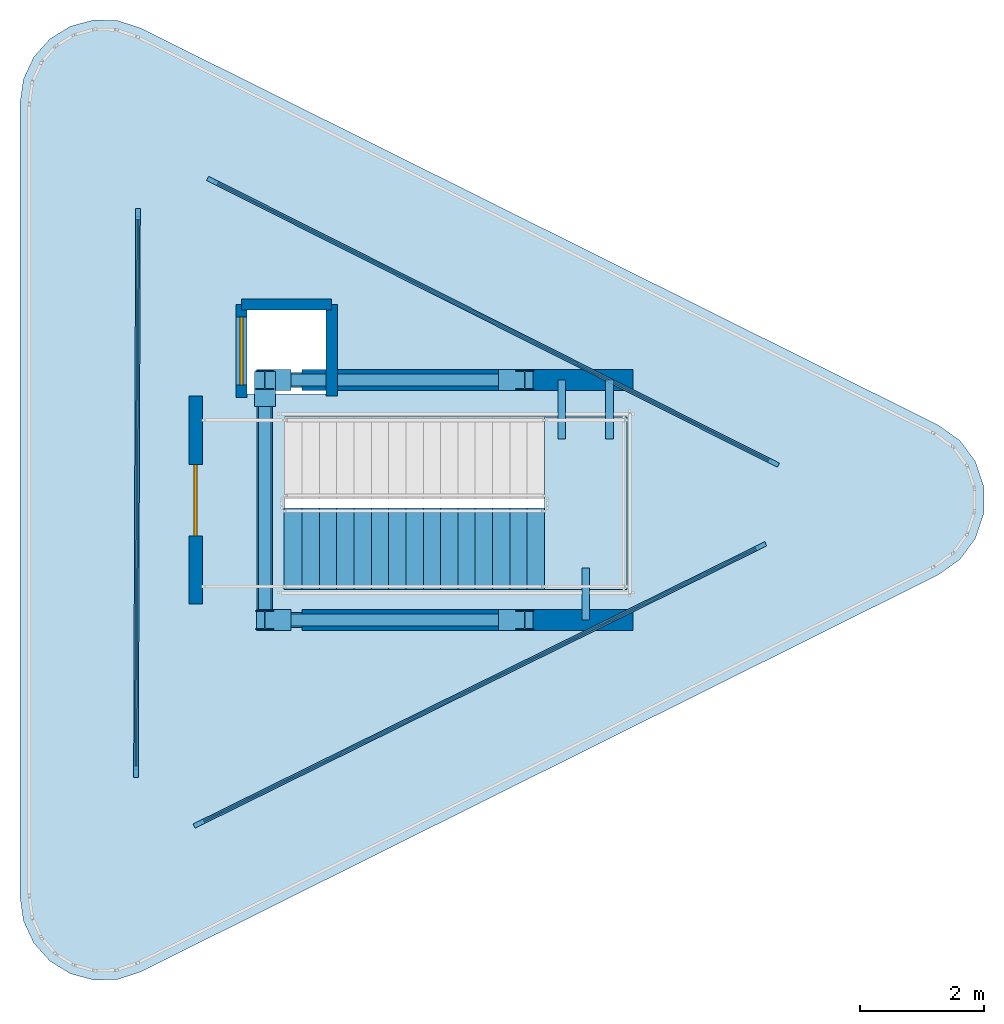
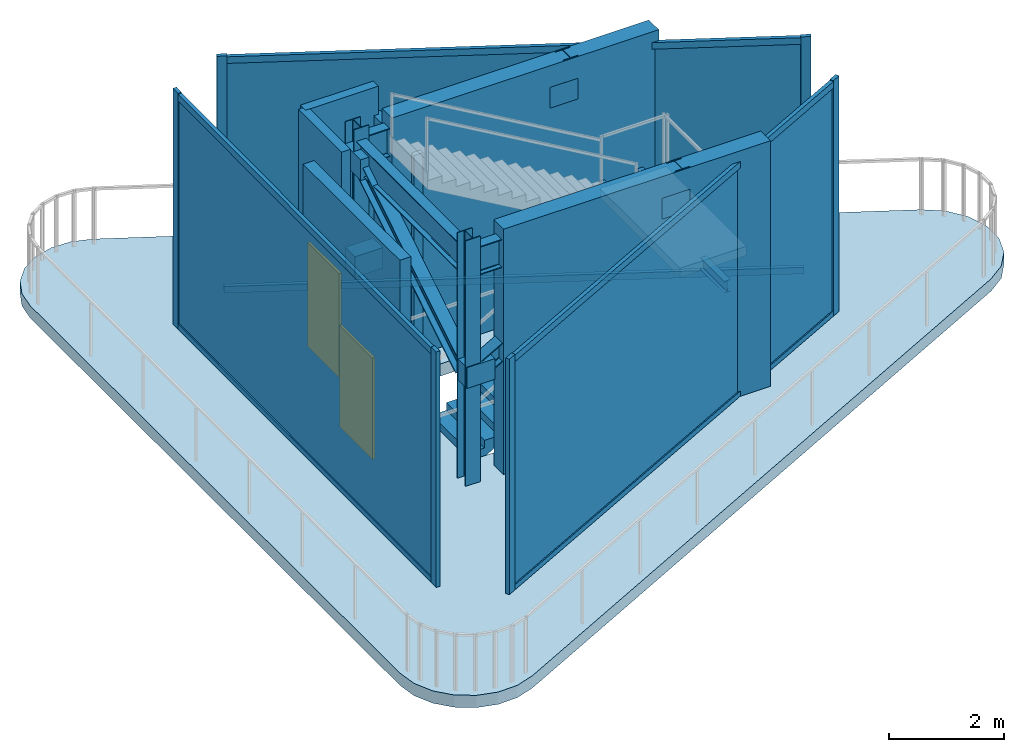
# One storey, part 1 of 3: 15 members, 8 plates, 6 beams, 6 walls, 4 columns, 2 doors, 2 slabs, 1 stair flight, 2 openings, 4 elements without a shape of their own.
"""IFC4 building model written with IfcOpenShell, lengths in metres."""

from ifc_helpers import new_model, si_unit, direction, frame, frame_2d, origin, origin_2d, place, context, subcontext, project, spatial, polyline, rectangle, i_section, outline, extrude, source, transform, mapped, material, layer, layer_set, material_profile, profile_set, type_object, element, fill, aggregate, save


model = new_model("IFC4")

# Units and contexts
model_context = context("Model", 3, precision=1e-05, world=origin(), true_north=direction((0.0, 1.0)))
body_context = subcontext(model_context, "Body", "Model", "MODEL_VIEW")
ifc_project = project(units=[si_unit("LENGTHUNIT", "METRE"), si_unit("AREAUNIT", "SQUARE_METRE"), si_unit("VOLUMEUNIT", "CUBIC_METRE"), si_unit("PLANEANGLEUNIT", "RADIAN"), si_unit("MASSUNIT", "GRAM", prefix="KILO")], contexts=[model_context])

# Site, building, storey
site_placement = place(None, origin())
site = spatial("IfcSite", under=ifc_project, at=site_placement, CompositionType="ELEMENT")
building_placement = place(site_placement, origin())
building = spatial("IfcBuilding", under=site, at=building_placement, Name="Yunling Apex Tower", CompositionType="ELEMENT")
storey_placement = place(building_placement, frame((0.0, 0.0, 338.64990234375)))
storey = spatial("IfcBuildingStorey", under=building, at=storey_placement, Name="C05", CompositionType="ELEMENT", Elevation=338.64990234375)

# Columns
ifc_material_1 = material(Name="Steel Q355B", Category="steel")
ifc_material_profile_1 = material_profile(ifc_material_1, i_section(OverallWidth=0.300048828125, OverallDepth=0.300048828125, WebThickness=0.010009765625, FlangeThickness=0.014892578125, FilletRadius=0.01806640625, at=origin_2d()))
ifc_profile_set_1 = profile_set([ifc_material_profile_1], Name="Steel Q355B")
column_type = type_object("IfcColumnType", Name="CC-STL-3", PredefinedType="COLUMN", material=ifc_profile_set_1)
shared_shape_1 = source(origin(), body_context, "Body", "SweptSolid", [
    extrude(i_section(OverallWidth=0.300048828125, OverallDepth=0.300048828125, WebThickness=0.010009765625, FlangeThickness=0.014892578125, FilletRadius=0.01806640625, at=origin_2d()), origin(), (0.0, 0.0, 1.0), 5.2001953125),
])
for number, where, z_axis, x_axis, name in (
    (1, (-1.800048828125, -1.93994140625, 0.0), (0.0, 0.0, 1.0), (1.0, 0.0, 0.0), "C05 Crown Core Column CT1"),
    (2, (2.39990234375, 1.93994140625, 0.0), (0.0, 0.0, 1.0), (1.0, 0.0, 0.0), "C05 Crown Core Column CT2"),
    (3, (2.39990234375, -1.93994140625, 0.0), (0.0, 0.0, 1.0), (1.0, 0.0, 0.0), "C05 Crown Core Column CT3"),
    (4, (-1.800048828125, 1.93994140625, 0.0), (0.0, 0.0, 1.0), (1.0, 0.0, 0.0), "C05 Crown Core Column CT4"),
):
    element("IfcColumn", number, at=place(storey_placement, frame(where, z_axis=z_axis, x_axis=x_axis)), inside=storey, type_object=column_type, Name=name, PredefinedType="COLUMN", context=body_context, shape_type="MappedRepresentation", body=[
        mapped(shared_shape_1, transform((0.0, 0.0, 0.0), scale=1.0)),
    ])

# Beams
ifc_material_profile_2 = material_profile(ifc_material_1, i_section(OverallWidth=0.125, OverallDepth=0.25, WebThickness=0.006103515625, FlangeThickness=0.009033203125, FilletRadius=0.011962890625, at=origin_2d()))
ifc_profile_set_2 = profile_set([ifc_material_profile_2], Name="Steel Q355B")
beam_type_1 = type_object("IfcBeamType", Name="BL-LNT-1", PredefinedType="LINTEL", material=ifc_profile_set_2)
shared_shape_2 = source(origin(), body_context, "Body", "SweptSolid", [
    extrude(i_section(OverallWidth=0.125, OverallDepth=0.25, WebThickness=0.006103515625, FlangeThickness=0.009033203125, FilletRadius=0.011962890625, at=origin_2d()), origin(), (0.0, 0.0, 1.0), 0.949951171875),
])
for number, where, z_axis, x_axis, name in (
    (5, (3.0, 1.93994140625, 2.280029296875), (0.0, -1.0, 0.0), (1.0, 0.0, 0.0), "C05 ST-C1 Landing Bearing Corbel 1-1"),
    (6, (3.77001953125, 1.93994140625, 2.280029296875), (0.0, -1.0, 0.0), (1.0, 0.0, 0.0), "C05 ST-C1 Landing Bearing Corbel 1-2"),
):
    element("IfcBeam", number, at=place(storey_placement, frame(where, z_axis=z_axis, x_axis=x_axis)), inside=storey, type_object=beam_type_1, Name=name, PredefinedType="LINTEL", context=body_context, shape_type="MappedRepresentation", body=[
        mapped(shared_shape_2, transform((0.0, 0.0, 0.0), scale=1.0)),
    ])
shared_shape_3 = source(origin(), body_context, "Body", "SweptSolid", [
    extrude(i_section(OverallWidth=0.125, OverallDepth=0.25, WebThickness=0.006103515625, FlangeThickness=0.009033203125, FilletRadius=0.011962890625, at=origin_2d()), origin(), (0.0, 0.0, 1.0), 0.83984375),
])
beam_1_placement = place(storey_placement, frame((3.385009765625, -1.93994140625, 2.280029296875), z_axis=(0.0, 1.0, 0.0), x_axis=(-1.0, 0.0, 0.0)))
element("IfcBeam", 7, at=beam_1_placement, inside=storey, type_object=beam_type_1, Name="C05 ST-C1 Landing Bearing Corbel 1-3", PredefinedType="LINTEL", context=body_context, shape_type="MappedRepresentation", body=[
    mapped(shared_shape_3, transform((0.0, 0.0, 0.0), scale=1.0)),
])
ifc_material_profile_3 = material_profile(ifc_material_1, i_section(OverallWidth=0.199951171875, OverallDepth=0.60009765625, WebThickness=0.010986328125, FlangeThickness=0.01708984375, FilletRadius=0.02197265625, at=origin_2d()))
ifc_profile_set_3 = profile_set([ifc_material_profile_3], Name="Steel Q355B")
beam_type_2 = type_object("IfcBeamType", Name="BG-PRI-5", PredefinedType="USERDEFINED", material=ifc_profile_set_3)
shared_shape_4 = source(origin(), body_context, "Body", "SweptSolid", [
    extrude(i_section(OverallWidth=0.199951171875, OverallDepth=0.60009765625, WebThickness=0.010986328125, FlangeThickness=0.01708984375, FilletRadius=0.02197265625, at=origin_2d()), origin(), (0.0, 0.0, 1.0), 3.909912109375),
])
for number, where, z_axis, x_axis, name in (
    (8, (-1.655029296875, 1.93994140625, 4.64013671875), (1.0, 0.0, 0.0), (0.0, 1.0, 0.0), "C05 Crown Core Support Girder 1"),
    (9, (-1.655029296875, -1.93994140625, 4.64013671875), (1.0, 0.0, 0.0), (0.0, 1.0, 0.0), "C05 Crown Core Support Girder 2"),
):
    element("IfcBeam", number, at=place(storey_placement, frame(where, z_axis=z_axis, x_axis=x_axis)), inside=storey, type_object=beam_type_2, Name=name, ObjectType="GIRDER", PredefinedType="USERDEFINED", context=body_context, shape_type="MappedRepresentation", body=[
        mapped(shared_shape_4, transform((0.0, 0.0, 0.0), scale=1.0)),
    ])
shared_shape_5 = source(origin(), body_context, "Body", "SweptSolid", [
    extrude(i_section(OverallWidth=0.199951171875, OverallDepth=0.60009765625, WebThickness=0.010986328125, FlangeThickness=0.01708984375, FilletRadius=0.02197265625, at=origin_2d()), origin(), (0.0, 0.0, 1.0), 3.58984375),
])
beam_2_placement = place(storey_placement, frame((-1.800048828125, -1.794921875, 4.64013671875), z_axis=(0.0, 1.0, 0.0), x_axis=(-1.0, 0.0, 0.0)))
element("IfcBeam", 10, at=beam_2_placement, inside=storey, type_object=beam_type_2, Name="C05 Crown Core Support Girder 3", ObjectType="GIRDER", PredefinedType="USERDEFINED", context=body_context, shape_type="MappedRepresentation", body=[
    mapped(shared_shape_5, transform((0.0, 0.0, 0.0), scale=1.0)),
])

# Members
ifc_material_profile_4 = material_profile(ifc_material_1, i_section(OverallWidth=0.25, OverallDepth=0.35009765625, WebThickness=0.011962890625, FlangeThickness=0.02001953125, FilletRadius=0.01611328125, at=origin_2d()))
ifc_profile_set_4 = profile_set([ifc_material_profile_4], Name="Steel Q355B")
member_type_1 = type_object("IfcMemberType", Name="CR-RIB-2", PredefinedType="RAFTER", material=ifc_profile_set_4)
shared_shape_6 = source(origin(), body_context, "Body", "SweptSolid", [
    extrude(i_section(OverallWidth=0.25, OverallDepth=0.35009765625, WebThickness=0.011962890625, FlangeThickness=0.02001953125, FilletRadius=0.01611328125, at=origin_2d()), origin(), (0.0, 0.0, 1.0), 4.49609375),
])
for number, where, z_axis, x_axis, name in (
    (11, (-1.655029296875, -1.93994140625, 2.300048828125), (0.869606524718, 0.0, 0.493745371793), (0.0, 1.0, 0.0), "C05 Crown Upper Structural Rafter 1"),
    (12, (-1.655029296875, 1.93994140625, 2.300048828125), (0.869606524718, 0.0, 0.493745371793), (0.0, 1.0, 0.0), "C05 Crown Upper Structural Rafter 2"),
):
    element("IfcMember", number, at=place(storey_placement, frame(where, z_axis=z_axis, x_axis=x_axis)), inside=storey, type_object=member_type_1, Name=name, PredefinedType="RAFTER", context=body_context, shape_type="MappedRepresentation", body=[
        mapped(shared_shape_6, transform((0.0, 0.0, 0.0), scale=1.0)),
    ])
shared_shape_7 = source(origin(), body_context, "Body", "SweptSolid", [
    extrude(i_section(OverallWidth=0.25, OverallDepth=0.35009765625, WebThickness=0.011962890625, FlangeThickness=0.02001953125, FilletRadius=0.01611328125, at=origin_2d()), origin(), (0.0, 0.0, 1.0), 4.220703125),
])
member_1_placement = place(storey_placement, frame((-1.800048828125, -1.794921875, 2.300048828125), z_axis=(0.0, 0.850510361782, 0.5259582916), x_axis=(-1.0, 0.0, 0.0)))
element("IfcMember", 13, at=member_1_placement, inside=storey, type_object=member_type_1, Name="C05 Crown Upper Structural Rafter 3", PredefinedType="RAFTER", context=body_context, shape_type="MappedRepresentation", body=[
    mapped(shared_shape_7, transform((0.0, 0.0, 0.0), scale=1.0)),
])

# Curtain wall, members
ifc_material_2 = material(Name="Bronze anodised aluminium", Category="aluminium")
ifc_layer_1 = layer(ifc_material_2, 0.179931640625)
ifc_layer_set_1 = layer_set([ifc_layer_1], Name="Bronze anodised aluminium")
curtain_wall_type = type_object("IfcCurtainWallType", Name="CW-SYS-6", PredefinedType="NOTDEFINED", material=ifc_layer_set_1)
curtain_wall_1_placement = place(storey_placement, origin())
curtain_wall_1 = element("IfcCurtainWall", 14, at=curtain_wall_1_placement, inside=storey, type_object=curtain_wall_type, Name="CW-C05-01", PredefinedType="NOTDEFINED")
ifc_material_profile_5 = material_profile(ifc_material_2, rectangle(XDim=0.074951171875, YDim=0.179931640625, at=origin_2d()))
ifc_profile_set_5 = profile_set([ifc_material_profile_5], Name="Bronze anodised aluminium")
member_type_2 = type_object("IfcMemberType", Name="CW-MUL-6", PredefinedType="MULLION", material=ifc_profile_set_5)
shared_shape_8 = source(origin(), body_context, "Body", "SweptSolid", [
    extrude(rectangle(XDim=0.074951171875, YDim=0.179931640625, at=origin_2d()), origin(), (0.0, 0.0, 1.0), 5.039794921875),
])
member_2_placement = place(storey_placement, frame((-3.884765625, -4.39404296875, -0.0498046875), z_axis=(0.0, 0.0, 1.0), x_axis=(-0.99999361072, 0.003574705476, 0.0)))
member_2 = element("IfcMember", 15, at=member_2_placement, type_object=member_type_2, Name="CW-SYS-6 mullion 1", PredefinedType="MULLION", context=body_context, shape_type="MappedRepresentation", body=[
    mapped(shared_shape_8, transform((0.0, 0.0, 0.0), scale=1.0)),
])
member_3_placement = place(storey_placement, frame((-3.8525390625, 4.62255859375, -0.0498046875), z_axis=(0.0, 0.0, 1.0), x_axis=(-0.99999361072, 0.003574705476, 0.0)))
member_3 = element("IfcMember", 16, at=member_3_placement, type_object=member_type_2, Name="CW-SYS-6 mullion 2", PredefinedType="MULLION", context=body_context, shape_type="MappedRepresentation", body=[
    mapped(shared_shape_8, transform((0.0, 0.0, 0.0), scale=1.0)),
])

curtain_wall_2_placement = place(storey_placement, origin())
curtain_wall_2 = element("IfcCurtainWall", 17, at=curtain_wall_2_placement, inside=storey, type_object=curtain_wall_type, Name="CW-C05-05", PredefinedType="NOTDEFINED")
member_4_placement = place(storey_placement, frame((-2.6474609375, 5.16015625, -0.0498046875), z_axis=(0.0, 0.0, 1.0), x_axis=(0.448972985976, 0.893545330615, 0.0)))
member_4 = element("IfcMember", 18, at=member_4_placement, type_object=member_type_2, Name="CW-SYS-6 mullion 1", PredefinedType="MULLION", context=body_context, shape_type="MappedRepresentation", body=[
    mapped(shared_shape_8, transform((0.0, 0.0, 0.0), scale=1.0)),
])
member_5_placement = place(storey_placement, frame((6.4228515625, 0.602783203125, -0.0498046875), z_axis=(0.0, 0.0, 1.0), x_axis=(0.448972985976, 0.893545330615, 0.0)))
member_5 = element("IfcMember", 19, at=member_5_placement, type_object=member_type_2, Name="CW-SYS-6 mullion 2", PredefinedType="MULLION", context=body_context, shape_type="MappedRepresentation", body=[
    mapped(shared_shape_8, transform((0.0, 0.0, 0.0), scale=1.0)),
])

curtain_wall_3_placement = place(storey_placement, origin())
curtain_wall_3 = element("IfcCurtainWall", 20, at=curtain_wall_3_placement, inside=storey, type_object=curtain_wall_type, Name="CW-C05-09", PredefinedType="NOTDEFINED")
member_6_placement = place(storey_placement, frame((6.21728515625, -0.748291015625, -0.0498046875), z_axis=(0.0, 0.0, 1.0), x_axis=(0.442708539798, -0.896665572435, 0.0)))
member_6 = element("IfcMember", 21, at=member_6_placement, type_object=member_type_2, Name="CW-SYS-6 mullion 1", PredefinedType="MULLION", context=body_context, shape_type="MappedRepresentation", body=[
    mapped(shared_shape_8, transform((0.0, 0.0, 0.0), scale=1.0)),
])
member_7_placement = place(storey_placement, frame((-2.866455078125, -5.233154296875, -0.0498046875), z_axis=(0.0, 0.0, 1.0), x_axis=(0.442708539798, -0.896665572435, 0.0)))
member_7 = element("IfcMember", 22, at=member_7_placement, type_object=member_type_2, Name="CW-SYS-6 mullion 2", PredefinedType="MULLION", context=body_context, shape_type="MappedRepresentation", body=[
    mapped(shared_shape_8, transform((0.0, 0.0, 0.0), scale=1.0)),
])

# Member
ifc_material_profile_6 = material_profile(ifc_material_2, rectangle(XDim=0.074951171875, YDim=0.139892578125, at=origin_2d()))
ifc_profile_set_6 = profile_set([ifc_material_profile_6], Name="Bronze anodised aluminium")
member_type_3 = type_object("IfcMemberType", Name="CW-TRN-6", PredefinedType="USERDEFINED", material=ifc_profile_set_6)
shared_shape_9 = source(origin(), body_context, "Body", "SweptSolid", [
    extrude(rectangle(XDim=0.074951171875, YDim=0.139892578125, at=origin_2d()), origin(), (0.0, 0.0, 1.0), 8.94921875),
])
member_8_placement = place(storey_placement, frame((-3.884765625, -4.3603515625, 0.03759765625), z_axis=(0.003601024229, 0.999993516291, 0.0), x_axis=(-0.999993516291, 0.003601024229, 0.0)))
member_8 = element("IfcMember", 23, at=member_8_placement, type_object=member_type_3, Name="CW-SYS-6 transom 1.1", ObjectType="TRANSOM", PredefinedType="USERDEFINED", context=body_context, shape_type="MappedRepresentation", body=[
    mapped(shared_shape_9, transform((0.0, 0.0, 0.0), scale=1.0)),
])

member_9_placement = place(storey_placement, frame((-3.884765625, -4.3603515625, 4.902587890625), z_axis=(0.003601024229, 0.999993516291, 0.0), x_axis=(-0.999993516291, 0.003601024229, 0.0)))
member_9 = element("IfcMember", 24, at=member_9_placement, type_object=member_type_3, Name="CW-SYS-6 transom 1.2", ObjectType="TRANSOM", PredefinedType="USERDEFINED", context=body_context, shape_type="MappedRepresentation", body=[
    mapped(shared_shape_9, transform((0.0, 0.0, 0.0), scale=1.0)),
])

shared_shape_10 = source(origin(), body_context, "Body", "SweptSolid", [
    extrude(rectangle(XDim=0.074951171875, YDim=0.139892578125, at=origin_2d()), origin(), (0.0, 0.0, 1.0), 10.083251953125),
])
member_10_placement = place(storey_placement, frame((-2.6171875, 5.14501953125, 0.03759765625), z_axis=(0.893544113175, -0.448975408915, 0.0), x_axis=(0.448975408915, 0.893544113175, 0.0)))
member_10 = element("IfcMember", 25, at=member_10_placement, type_object=member_type_3, Name="CW-SYS-6 transom 1.1", ObjectType="TRANSOM", PredefinedType="USERDEFINED", context=body_context, shape_type="MappedRepresentation", body=[
    mapped(shared_shape_10, transform((0.0, 0.0, 0.0), scale=1.0)),
])

member_11_placement = place(storey_placement, frame((-2.6171875, 5.14501953125, 4.902587890625), z_axis=(0.893544113175, -0.448975408915, 0.0), x_axis=(0.448975408915, 0.893544113175, 0.0)))
member_11 = element("IfcMember", 26, at=member_11_placement, type_object=member_type_3, Name="CW-SYS-6 transom 1.2", ObjectType="TRANSOM", PredefinedType="USERDEFINED", context=body_context, shape_type="MappedRepresentation", body=[
    mapped(shared_shape_10, transform((0.0, 0.0, 0.0), scale=1.0)),
])

shared_shape_11 = source(origin(), body_context, "Body", "SweptSolid", [
    extrude(rectangle(XDim=0.074951171875, YDim=0.139892578125, at=origin_2d()), origin(), (0.0, 0.0, 1.0), 10.063232421875),
])
member_12_placement = place(storey_placement, frame((6.18701171875, -0.76318359375, 0.03759765625), z_axis=(-0.896667229286, -0.442705183983, 0.0), x_axis=(0.442705183983, -0.896667229286, 0.0)))
member_12 = element("IfcMember", 27, at=member_12_placement, type_object=member_type_3, Name="CW-SYS-6 transom 1.1", ObjectType="TRANSOM", PredefinedType="USERDEFINED", context=body_context, shape_type="MappedRepresentation", body=[
    mapped(shared_shape_11, transform((0.0, 0.0, 0.0), scale=1.0)),
])

member_13_placement = place(storey_placement, frame((6.18701171875, -0.76318359375, 4.902587890625), z_axis=(-0.896667229286, -0.442705183983, 0.0), x_axis=(0.442705183983, -0.896667229286, 0.0)))
member_13 = element("IfcMember", 28, at=member_13_placement, type_object=member_type_3, Name="CW-SYS-6 transom 1.2", ObjectType="TRANSOM", PredefinedType="USERDEFINED", context=body_context, shape_type="MappedRepresentation", body=[
    mapped(shared_shape_11, transform((0.0, 0.0, 0.0), scale=1.0)),
])

# Slab
ifc_material_3 = material(Name="Concrete C40", Category="concrete")
ifc_layer_2 = layer(ifc_material_3, 0.260009765625)
ifc_layer_set_2 = layer_set([ifc_layer_2], Name="Concrete C40")
slab_type_1 = type_object("IfcSlabType", Name="SL-CRN-1", PredefinedType="FLOOR", material=ifc_layer_set_2)
slab_1_placement = place(storey_placement, frame((0.0, 0.0, -0.260009765625)))
element("IfcSlab", 29, at=slab_1_placement, inside=storey, type_object=slab_type_1, Name="C05 Crown Plant & Maintenance Slab", PredefinedType="FLOOR", context=body_context, shape_type="SweptSolid", body=[
    extrude(outline(polyline([(-5.759765625, -6.420166015625), (-5.703125, -6.806640625), (-5.538330078125, -7.160888671875), (-5.279052734375, -7.452880859375), (-4.947021484375, -7.65869140625), (-4.56982421875, -7.760498046875), (-4.17919921875, -7.750244140625), (-3.80810546875, -7.628662109375), (9.091064453125, -1.20849609375), (9.437744140625, -0.9609375), (9.68994140625, -0.61767578125), (9.822509765625, -0.212890625), (9.822509765625, 0.212890625), (9.68994140625, 0.61767578125), (9.437744140625, 0.9609375), (9.091064453125, 1.20849609375), (-3.80810546875, 7.628662109375), (-4.17919921875, 7.750244140625), (-4.56982421875, 7.760498046875), (-4.947021484375, 7.65869140625), (-5.279052734375, 7.452880859375), (-5.538330078125, 7.160888671875), (-5.703125, 6.806640625), (-5.759765625, 6.420166015625), (-5.759765625, -6.420166015625)]), holes=[polyline([(4.050048828125, -1.449951171875), (-1.47998046875, -1.449951171875), (-1.47998046875, 1.340087890625), (4.050048828125, 1.340087890625), (4.050048828125, -1.449951171875)]), polyline([(-0.7900390625, 1.715087890625), (-2.110107421875, 1.715087890625), (-2.110107421875, 3.0849609375), (-0.7900390625, 3.0849609375), (-0.7900390625, 1.715087890625)])]), origin(), (0.0, 0.0, 1.0), 0.260009765625),
])

# Stair, slab
stair_type = type_object("IfcStairType", Name="ST-CRN-1", PredefinedType="STRAIGHT_RUN_STAIR", material=ifc_material_3)
stair_placement = place(storey_placement, origin())
stair = element("IfcStair", 30, at=stair_placement, inside=storey, type_object=stair_type, Name="C05 Crown Maintenance Access Stair ST-C1", PredefinedType="HALF_TURN_STAIR")
ifc_layer_3 = layer(ifc_material_3, 0.195068359375)
ifc_layer_set_3 = layer_set([ifc_layer_3], Name="Concrete C40")
slab_type_2 = type_object("IfcSlabType", Name="SL-LND-1", PredefinedType="LANDING", material=ifc_layer_set_3)
slab_2_placement = place(storey_placement, frame((0.0, 0.0, 2.405029296875)))
slab_2 = element("IfcSlab", 31, at=slab_2_placement, type_object=slab_type_2, Name="ST-C1 landing 1", PredefinedType="LANDING", context=body_context, shape_type="SweptSolid", body=[
    extrude(outline(polyline([(2.719970703125, -1.449951171875), (4.050048828125, -1.449951171875), (4.050048828125, 1.340087890625), (2.719970703125, 1.340087890625), (2.719970703125, -1.449951171875)])), origin(), (0.0, 0.0, 1.0), 0.195068359375),
])

# Plates
ifc_layer_4 = layer(ifc_material_1, 0.031982421875)
ifc_layer_set_4 = layer_set([ifc_layer_4], Name="Steel Q355B")
plate_type_1 = type_object("IfcPlateType", Name="NP-GUS-2", PredefinedType="USERDEFINED", material=ifc_layer_set_4)
shared_shape_12 = source(origin(), body_context, "Body", "SweptSolid", [
    extrude(rectangle(XDim=0.56005859375, YDim=0.340087890625, at=origin_2d()), origin(), (0.0, 0.0, 1.0), 0.43994140625),
])
for number, where, z_axis, x_axis, name in (
    (32, (-1.655029296875, -1.93994140625, 2.080078125), (0.0, 0.0, 1.0), (1.0, 0.0, 0.0), "C05 Crown Upper Rafter Foot Gusset Plate 427"),
    (33, (2.2548828125, -1.93994140625, 4.300048828125), (0.0, 0.0, 1.0), (1.0, 0.0, 0.0), "C05 Crown Upper Rafter Head Gusset Plate 428"),
    (34, (-1.655029296875, 1.93994140625, 2.080078125), (0.0, 0.0, 1.0), (1.0, 0.0, 0.0), "C05 Crown Upper Rafter Foot Gusset Plate 429"),
    (35, (2.2548828125, 1.93994140625, 4.300048828125), (0.0, 0.0, 1.0), (1.0, 0.0, 0.0), "C05 Crown Upper Rafter Head Gusset Plate 430"),
    (36, (-1.800048828125, 1.794921875, 4.300048828125), (0.0, 0.0, 1.0), (0.0, 1.0, 0.0), "C05 Crown Upper Rafter Head Gusset Plate 431"),
):
    element("IfcPlate", number, at=place(storey_placement, frame(where, z_axis=z_axis, x_axis=x_axis)), inside=storey, type_object=plate_type_1, Name=name, ObjectType="GUSSET_PLATE", PredefinedType="USERDEFINED", context=body_context, shape_type="MappedRepresentation", body=[
        mapped(shared_shape_12, transform((0.0, 0.0, 0.0), scale=1.0)),
    ])

# Plate
ifc_material_4 = material(Name="Bronze fritted laminated crown glass", Category="glass")
ifc_layer_5 = layer(ifc_material_4, 0.02587890625)
ifc_layer_set_5 = layer_set([ifc_layer_5], Name="Bronze fritted laminated crown glass")
plate_type_2 = type_object("IfcPlateType", Name="CW-PNL-6", PredefinedType="CURTAIN_PANEL", material=ifc_layer_set_5)
shared_shape_13 = source(origin(), body_context, "Body", "SweptSolid", [
    extrude(rectangle(XDim=8.957275390625, YDim=0.02587890625, at=origin_2d()), origin(), (0.0, 0.0, 1.0), 4.805419921875),
])
plate_1_placement = place(storey_placement, frame((-3.86865234375, 0.1142578125, 0.0673828125), z_axis=(0.0, 0.0, 1.0), x_axis=(0.003574705476, 0.99999361072, 0.0)))
plate_1 = element("IfcPlate", 37, at=plate_1_placement, type_object=plate_type_2, Name="CW-SYS-6 panel 1.1", PredefinedType="CURTAIN_PANEL", context=body_context, shape_type="MappedRepresentation", body=[
    mapped(shared_shape_13, transform((0.0, 0.0, 0.0), scale=1.0)),
])

aggregate(curtain_wall_1, [member_2, member_3, member_8, member_9, plate_1])

shared_shape_14 = source(origin(), body_context, "Body", "SweptSolid", [
    extrude(rectangle(XDim=10.09130859375, YDim=0.02587890625, at=origin_2d()), origin(), (0.0, 0.0, 1.0), 4.805419921875),
])
plate_2_placement = place(storey_placement, frame((1.8876953125, 2.881591796875, 0.0673828125), z_axis=(0.0, 0.0, 1.0), x_axis=(0.893545330615, -0.448972985976, 0.0)))
plate_2 = element("IfcPlate", 38, at=plate_2_placement, type_object=plate_type_2, Name="CW-SYS-6 panel 1.1", PredefinedType="CURTAIN_PANEL", context=body_context, shape_type="MappedRepresentation", body=[
    mapped(shared_shape_14, transform((0.0, 0.0, 0.0), scale=1.0)),
])

aggregate(curtain_wall_2, [member_4, member_5, member_10, member_11, plate_2])

shared_shape_15 = source(origin(), body_context, "Body", "SweptSolid", [
    extrude(rectangle(XDim=10.0712890625, YDim=0.02587890625, at=origin_2d()), origin(), (0.0, 0.0, 1.0), 4.805419921875),
])
plate_3_placement = place(storey_placement, frame((1.67529296875, -2.99072265625, 0.0673828125), z_axis=(0.0, 0.0, 1.0), x_axis=(-0.896665572435, -0.442708539798, 0.0)))
plate_3 = element("IfcPlate", 39, at=plate_3_placement, type_object=plate_type_2, Name="CW-SYS-6 panel 1.1", PredefinedType="CURTAIN_PANEL", context=body_context, shape_type="MappedRepresentation", body=[
    mapped(shared_shape_15, transform((0.0, 0.0, 0.0), scale=1.0)),
])

aggregate(curtain_wall_3, [member_6, member_7, member_12, member_13, plate_3])

# Walls
ifc_layer_6 = layer(ifc_material_3, 0.340087890625)
ifc_layer_set_6 = layer_set([ifc_layer_6], Name="Concrete C40")
wall_type_1 = type_object("IfcWallType", Name="WL-COR-6", PredefinedType="SHEAR", material=ifc_layer_set_6)
for number, where, z_axis, x_axis, name in (
    (40, (-1.199951171875, 1.93994140625, 0.0), (0.0, 0.0, 1.0), (1.0, 0.0, 0.0), "C05 Crown Stair North Bearing Wall"),
    (41, (-1.199951171875, -1.93994140625, 0.0), (0.0, 0.0, 1.0), (1.0, 0.0, 0.0), "C05 Crown Stair South Bearing Wall"),
):
    element("IfcWall", number, at=place(storey_placement, frame(where, z_axis=z_axis, x_axis=x_axis)), inside=storey, type_object=wall_type_1, Name=name, PredefinedType="SHEAR", context=body_context, shape_type="SweptSolid", body=[
        extrude(rectangle(XDim=5.349853515625, YDim=0.340087890625, at=frame_2d((2.6748046875, 0.0))), origin(), (0.0, 0.0, 1.0), 5.2001953125),
    ])

# Wall, opening, door
ifc_material_5 = material(Name="Autoclaved aerated concrete masonry", Category="masonry")
ifc_layer_7 = layer(ifc_material_5, 0.219970703125)
ifc_layer_set_7 = layer_set([ifc_layer_7], Name="Autoclaved aerated concrete masonry")
wall_type_2 = type_object("IfcWallType", Name="WL-SHF-1", PredefinedType="PLUMBINGWALL", material=ifc_layer_set_7)
wall_1_placement = place(storey_placement, frame((-2.919921875, -1.679931640625, 0.0), z_axis=(0.0, 0.0, 1.0), x_axis=(0.0, 1.0, 0.0)))
wall_1 = element("IfcWall", 42, at=wall_1_placement, inside=storey, type_object=wall_type_2, Name="WL-STC1-W-C05", PredefinedType="PLUMBINGWALL", context=body_context, shape_type="SweptSolid", body=[
    extrude(rectangle(XDim=3.35986328125, YDim=0.219970703125, at=frame_2d((1.679931640625, 0.0))), origin(), (0.0, 0.0, 1.0), 4.920166015625),
])
opening_1_placement = place(wall_1_placement, frame((1.10009765625, 0.0, 0.0)))
opening_1 = element("IfcOpeningElement", 43, at=opening_1_placement, cuts=wall_1, Name="Opening DR-ST-1", PredefinedType="OPENING", context=body_context, shape_type="SweptSolid", body=[
    extrude(rectangle(XDim=1.14990234375, YDim=2.14990234375, at=frame_2d((0.574951171875, 1.074951171875))), frame((0.0, 0.1201171875, 0.0), z_axis=(0.0, -1.0, 0.0), x_axis=(1.0, 0.0, 0.0)), (0.0, 0.0, 1.0), 0.239990234375),
])
door_type_1 = type_object("IfcDoorType", Name="DR-ST-1", OperationType="NOTDEFINED", PredefinedType="DOOR", material=ifc_material_1)
door_1_placement = place(opening_1_placement, origin())
door_1 = element("IfcDoor", 44, at=door_1_placement, inside=storey, type_object=door_type_1, Name="C05 Crown Stair Door", OperationType="SINGLE_SWING_LEFT", OverallHeight=2.14990234375, OverallWidth=1.14990234375, PredefinedType="DOOR", context=body_context, shape_type="SweptSolid", body=[
    extrude(rectangle(XDim=1.14990234375, YDim=2.14990234375, at=frame_2d((0.574951171875, 1.074951171875))), frame((0.0, 0.02490234375, 0.0), z_axis=(0.0, -1.0, 0.0), x_axis=(1.0, 0.0, 0.0)), (0.0, 0.0, 1.0), 0.050048828125),
])
fill(opening_1, door_1)

# Wall
ifc_layer_8 = layer(ifc_material_5, 0.179931640625)
ifc_layer_set_8 = layer_set([ifc_layer_8], Name="Autoclaved aerated concrete masonry")
wall_type_3 = type_object("IfcWallType", Name="WL-SHF-2", PredefinedType="PLUMBINGWALL", material=ifc_layer_set_8)
wall_2_placement = place(storey_placement, frame((-2.179931640625, 3.159912109375, 0.0), z_axis=(0.0, 0.0, 1.0), x_axis=(1.0, 0.0, 0.0)))
element("IfcWall", 45, at=wall_2_placement, inside=storey, type_object=wall_type_3, Name="WL-SVLC1-N-C05", PredefinedType="PLUMBINGWALL", context=body_context, shape_type="SweptSolid", body=[
    extrude(rectangle(XDim=1.4599609375, YDim=0.179931640625, at=frame_2d((0.72998046875, 0.0))), origin(), (0.0, 0.0, 1.0), 4.920166015625),
])

# Wall, opening, door
wall_3_placement = place(storey_placement, frame((-2.179931640625, 1.659912109375, 0.0), z_axis=(0.0, 0.0, 1.0), x_axis=(0.0, 1.0, 0.0)))
wall_3 = element("IfcWall", 46, at=wall_3_placement, inside=storey, type_object=wall_type_3, Name="WL-SVLC1-W-C05", PredefinedType="PLUMBINGWALL", context=body_context, shape_type="SweptSolid", body=[
    extrude(rectangle(XDim=1.5, YDim=0.179931640625, at=frame_2d((0.75, 0.0))), origin(), (0.0, 0.0, 1.0), 4.920166015625),
])
opening_2_placement = place(wall_3_placement, frame((0.199951171875, 0.0, 0.0)))
opening_2 = element("IfcOpeningElement", 47, at=opening_2_placement, cuts=wall_3, Name="Opening LD-PAS-1", PredefinedType="OPENING", context=body_context, shape_type="SweptSolid", body=[
    extrude(rectangle(XDim=1.10009765625, YDim=2.199951171875, at=frame_2d((0.550048828125, 1.10009765625))), frame((0.0, 0.10009765625, 0.0), z_axis=(0.0, -1.0, 0.0), x_axis=(1.0, 0.0, 0.0)), (0.0, 0.0, 1.0), 0.199951171875),
])
ifc_material_6 = material(Name="Silver anodised aluminium", Category="aluminium")
door_type_2 = type_object("IfcDoorType", Name="LD-PAS-1", OperationType="DOUBLE_DOOR_SLIDING", PredefinedType="DOOR", material=ifc_material_6)
door_2_placement = place(opening_2_placement, origin())
door_2 = element("IfcDoor", 48, at=door_2_placement, inside=storey, type_object=door_type_2, Name="C05 Lift SVL-C1 Landing Door", OperationType="DOUBLE_DOOR_SLIDING", OverallHeight=2.199951171875, OverallWidth=1.10009765625, PredefinedType="DOOR", context=body_context, shape_type="SweptSolid", body=[
    extrude(rectangle(XDim=1.10009765625, YDim=2.199951171875, at=frame_2d((0.550048828125, 1.10009765625))), frame((0.0, 0.02490234375, 0.0), z_axis=(0.0, -1.0, 0.0), x_axis=(1.0, 0.0, 0.0)), (0.0, 0.0, 1.0), 0.050048828125),
])
fill(opening_2, door_2)

# Wall
wall_4_placement = place(storey_placement, frame((-0.719970703125, 1.679931640625, 0.0), z_axis=(0.0, 0.0, 1.0), x_axis=(0.0, 1.0, 0.0)))
element("IfcWall", 49, at=wall_4_placement, inside=storey, type_object=wall_type_3, Name="WL-SVLC1-E-C05", PredefinedType="PLUMBINGWALL", context=body_context, shape_type="SweptSolid", body=[
    extrude(rectangle(XDim=1.47998046875, YDim=0.179931640625, at=frame_2d((0.739990234375, 0.0))), origin(), (0.0, 0.0, 1.0), 4.3251953125),
])

# Stair flight
stair_flight_type = type_object("IfcStairFlightType", Name="SFL-CRN-1", PredefinedType="STRAIGHT", material=ifc_material_3)
stair_flight_placement = place(storey_placement, frame((-1.47998046875, -0.7900390625, 0.0), z_axis=(0.0, 0.0, 1.0), x_axis=(1.0, 0.0, 0.0)))
stair_flight = element("IfcStairFlight", 50, at=stair_flight_placement, type_object=stair_flight_type, Name="ST-C1 flight 1", NumberOfRisers=16, NumberOfTreads=15, PredefinedType="STRAIGHT", RiserHeight=0.1625, TreadLength=0.28, context=body_context, shape_type="SweptSolid", body=[
    extrude(outline(polyline([(-0.011962890625, 0.0), (-0.011962890625, 0.16259765625), (0.0, 0.16259765625), (0.280029296875, 0.16259765625), (0.280029296875, 0.324951171875), (0.56005859375, 0.324951171875), (0.56005859375, 0.487548828125), (0.840087890625, 0.487548828125), (0.840087890625, 0.64990234375), (1.1201171875, 0.64990234375), (1.1201171875, 0.8125), (1.39990234375, 0.8125), (1.39990234375, 0.97509765625), (1.679931640625, 0.97509765625), (1.679931640625, 1.137451171875), (1.9599609375, 1.137451171875), (1.9599609375, 1.300048828125), (2.239990234375, 1.300048828125), (2.239990234375, 1.46240234375), (2.52001953125, 1.46240234375), (2.52001953125, 1.625), (2.800048828125, 1.625), (2.800048828125, 1.78759765625), (3.080078125, 1.78759765625), (3.080078125, 1.949951171875), (3.360107421875, 1.949951171875), (3.360107421875, 2.112548828125), (3.639892578125, 2.112548828125), (3.639892578125, 2.27490234375), (3.919921875, 2.27490234375), (3.919921875, 2.4375), (4.199951171875, 2.4375), (4.199951171875, 2.60009765625), (4.2119140625, 2.60009765625), (4.2119140625, 2.252685546875), (0.318603515625, 0.0), (-0.011962890625, 0.0)])), frame((0.0, 0.66015625, 0.0), z_axis=(0.0, -1.0, 0.0), x_axis=(1.0, 0.0, 0.0)), (0.0, 0.0, 1.0), 1.320068359375),
])

aggregate(stair, [stair_flight, slab_2])

save(model, "model.ifc")
